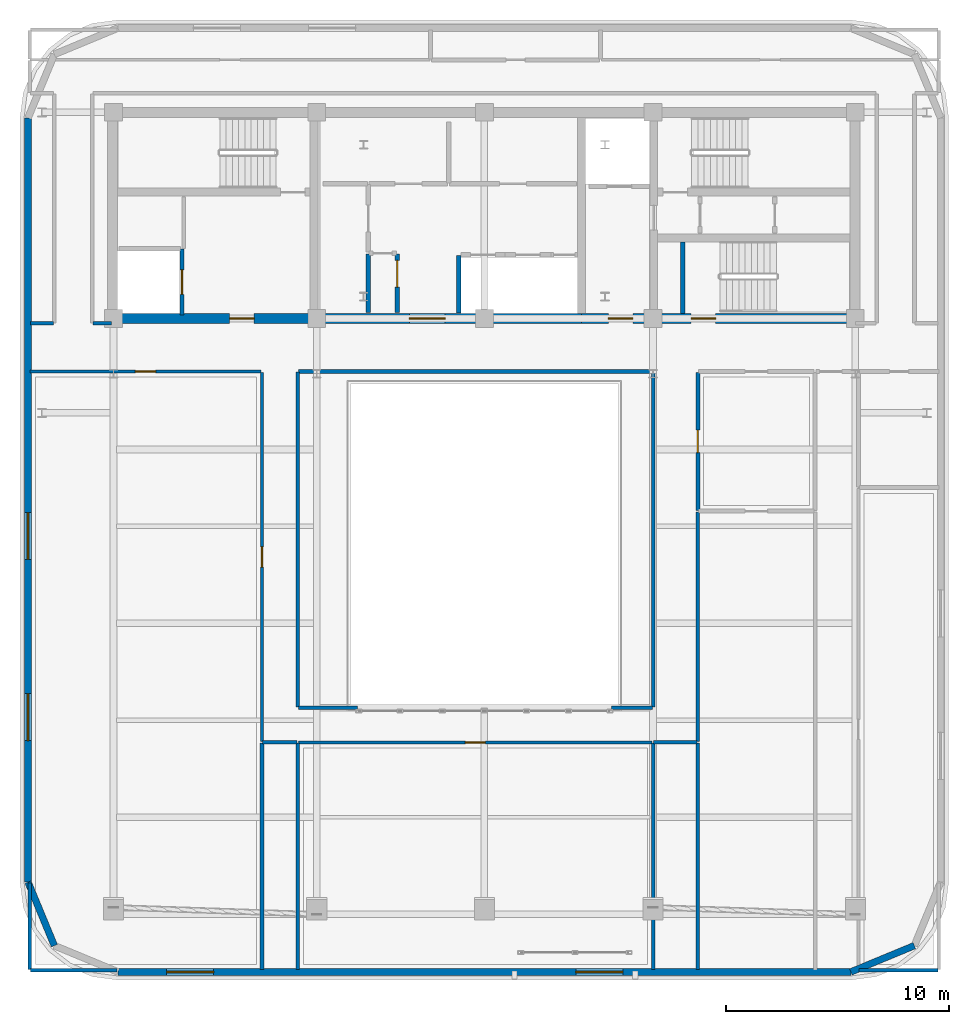
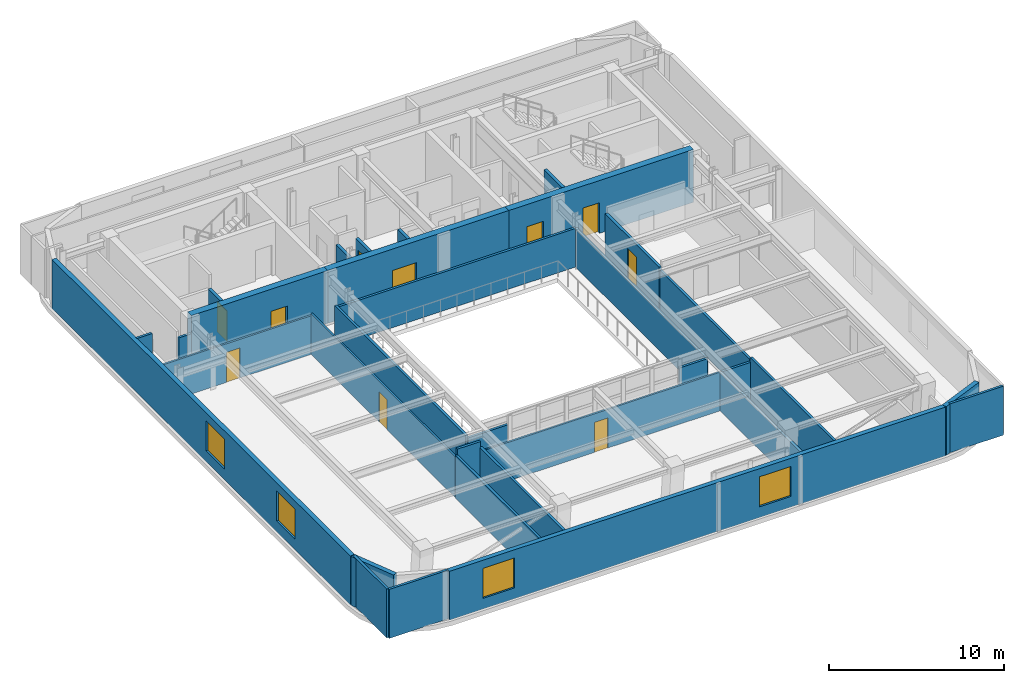
# One storey, part 6 of 12: 33 walls, 10 doors, 4 windows, 14 openings.
"""IFC4 building model written with IfcOpenShell, lengths in metres."""

from ifc_helpers import new_model, si_unit, direction, frame, frame_2d, origin, place, context, subcontext, project, spatial, rectangle, extrude, material, layer, layer_set, type_object, element, fill, save


model = new_model("IFC4")

# Units and contexts
model_context = context("Model", 3, precision=1e-05, world=origin(), true_north=direction((0.0, 1.0)))
body_context = subcontext(model_context, "Body", "Model", "MODEL_VIEW")
ifc_project = project(units=[si_unit("LENGTHUNIT", "METRE"), si_unit("AREAUNIT", "SQUARE_METRE"), si_unit("VOLUMEUNIT", "CUBIC_METRE"), si_unit("PLANEANGLEUNIT", "RADIAN"), si_unit("MASSUNIT", "GRAM", prefix="KILO")], contexts=[model_context])

# Site, building, storey
site_placement = place(None, origin())
site = spatial("IfcSite", under=ifc_project, at=site_placement, CompositionType="ELEMENT")
building_placement = place(site_placement, origin())
building = spatial("IfcBuilding", under=site, at=building_placement, Name="Zarnavel Station Tower", CompositionType="ELEMENT")
storey_placement = place(building_placement, frame((0.0, 0.0, 273.199951171875)))
storey = spatial("IfcBuildingStorey", under=building, at=storey_placement, Name="L74", CompositionType="ELEMENT", Elevation=273.199951171875)

# Wall, opening, door
ifc_material_1 = material(Name="Concrete C50/60", Category="concrete")
ifc_layer_1 = layer(ifc_material_1, 0.449951171875)
ifc_layer_set_1 = layer_set([ifc_layer_1], Name="CW_450")
wall_type_1 = type_object("IfcWallType", Name="CW_450", PredefinedType="SHEAR", material=ifc_layer_set_1)
wall_1_placement = place(storey_placement, frame((21.179931640625, 27.820068359375, 0.0), z_axis=(0.0, 0.0, 1.0), x_axis=(-1.0, 0.0, 0.0)))
wall_1 = element("IfcWall", 1, at=wall_1_placement, inside=storey, type_object=wall_type_1, Name="L74 Rear Core Shear Wall S-W", PredefinedType="SHEAR", context=body_context, shape_type="SweptSolid", body=[
    extrude(rectangle(XDim=9.030029296875, YDim=0.449951171875, at=frame_2d((4.51513671875, 0.0))), origin(), (0.0, 0.0, 1.0), 3.699951171875),
])
opening_1_placement = place(wall_1_placement, frame((2.679931640625, 0.0, 0.0)))
opening_1 = element("IfcOpeningElement", 2, at=opening_1_placement, cuts=wall_1, Name="Opening FD01", PredefinedType="OPENING", context=body_context, shape_type="SweptSolid", body=[
    extrude(rectangle(XDim=1.10009765625, YDim=2.14990234375, at=frame_2d((0.550048828125, 1.074951171875))), frame((0.0, 0.23486328125, 0.0), z_axis=(0.0, -1.0, 0.0), x_axis=(1.0, 0.0, 0.0)), (0.0, 0.0, 1.0), 0.469970703125),
])
ifc_material_2 = material(Name="Painted Galvanised Steel and Hardwood Leaf", Category="steel")
door_type_1 = type_object("IfcDoorType", Name="ID_STAIR_1100", OperationType="NOTDEFINED", PredefinedType="DOOR", material=ifc_material_2)
door_1_placement = place(opening_1_placement, origin())
door_1 = element("IfcDoor", 3, at=door_1_placement, inside=storey, type_object=door_type_1, Name="L74 West Firefighting Lobby Door", OperationType="SINGLE_SWING_RIGHT", OverallHeight=2.14990234375, OverallWidth=1.10009765625, PredefinedType="DOOR", context=body_context, shape_type="SweptSolid", body=[
    extrude(rectangle(XDim=1.10009765625, YDim=2.14990234375, at=frame_2d((0.550048828125, 1.074951171875))), frame((0.0, 0.02490234375, 0.0), z_axis=(0.0, -1.0, 0.0), x_axis=(1.0, 0.0, 0.0)), (0.0, 0.0, 1.0), 0.050048828125),
])
fill(opening_1, door_1)

wall_2_placement = place(storey_placement, frame((33.14990234375, 27.820068359375, 0.0), z_axis=(0.0, 0.0, 1.0), x_axis=(-1.0, 0.0, 0.0)))
wall_2 = element("IfcWall", 4, at=wall_2_placement, inside=storey, type_object=wall_type_1, Name="L74 Rear Core Shear Wall S-M", PredefinedType="SHEAR", context=body_context, shape_type="SweptSolid", body=[
    extrude(rectangle(XDim=11.969970703125, YDim=0.449951171875, at=frame_2d((5.98486328125, 0.0))), origin(), (0.0, 0.0, 1.0), 3.699951171875),
])
opening_2_placement = place(wall_2_placement, frame((6.10009765625, 0.0, 0.0)))
opening_2 = element("IfcOpeningElement", 5, at=opening_2_placement, cuts=wall_2, Name="Opening ID03", PredefinedType="OPENING", context=body_context, shape_type="SweptSolid", body=[
    extrude(rectangle(XDim=1.60009765625, YDim=2.199951171875, at=frame_2d((0.800048828125, 1.10009765625))), frame((0.0, 0.23486328125, 0.0), z_axis=(0.0, -1.0, 0.0), x_axis=(1.0, 0.0, 0.0)), (0.0, 0.0, 1.0), 0.469970703125),
])
ifc_material_3 = material(Name="Painted Galvanised Steel and Hardwood Leaf", Category="steel")
door_type_2 = type_object("IfcDoorType", Name="ID_PUBLIC_1600", OperationType="DOUBLE_DOOR_SINGLE_SWING", PredefinedType="DOOR", material=ifc_material_3)
door_2_placement = place(opening_2_placement, origin())
door_2 = element("IfcDoor", 6, at=door_2_placement, inside=storey, type_object=door_type_2, Name="L74 Passenger Lift Lobby Double Door", OperationType="SINGLE_SWING_LEFT", OverallHeight=2.199951171875, OverallWidth=1.60009765625, PredefinedType="DOOR", context=body_context, shape_type="SweptSolid", body=[
    extrude(rectangle(XDim=1.60009765625, YDim=2.199951171875, at=frame_2d((0.800048828125, 1.10009765625))), frame((0.0, 0.02490234375, 0.0), z_axis=(0.0, -1.0, 0.0), x_axis=(1.0, 0.0, 0.0)), (0.0, 0.0, 1.0), 0.050048828125),
])
fill(opening_2, door_2)

# Wall, openings, doors
wall_3_placement = place(storey_placement, frame((45.3798828125, 27.820068359375, 0.0), z_axis=(0.0, 0.0, 1.0), x_axis=(-1.0, 0.0, 0.0)))
wall_3 = element("IfcWall", 7, at=wall_3_placement, inside=storey, type_object=wall_type_1, Name="L74 Rear Core Shear Wall S-E", PredefinedType="SHEAR", context=body_context, shape_type="SweptSolid", body=[
    extrude(rectangle(XDim=12.22998046875, YDim=0.449951171875, at=frame_2d((6.114990234375, 0.0))), origin(), (0.0, 0.0, 1.0), 3.699951171875),
])
opening_3_placement = place(wall_3_placement, frame((9.929931640625, 0.0, 0.0)))
opening_3 = element("IfcOpeningElement", 8, at=opening_3_placement, cuts=wall_3, Name="Opening FD01", PredefinedType="OPENING", context=body_context, shape_type="SweptSolid", body=[
    extrude(rectangle(XDim=1.10009765625, YDim=2.14990234375, at=frame_2d((0.550048828125, 1.074951171875))), frame((0.0, 0.23486328125, 0.0), z_axis=(0.0, -1.0, 0.0), x_axis=(1.0, 0.0, 0.0)), (0.0, 0.0, 1.0), 0.469970703125),
])
opening_4_placement = place(wall_3_placement, frame((6.22998046875, 0.0, 0.0)))
opening_4 = element("IfcOpeningElement", 9, at=opening_4_placement, cuts=wall_3, Name="Opening FD01", PredefinedType="OPENING", context=body_context, shape_type="SweptSolid", body=[
    extrude(rectangle(XDim=1.10009765625, YDim=2.14990234375, at=frame_2d((0.550048828125, 1.074951171875))), frame((0.0, 0.23486328125, 0.0), z_axis=(0.0, -1.0, 0.0), x_axis=(1.0, 0.0, 0.0)), (0.0, 0.0, 1.0), 0.469970703125),
])
door_3_placement = place(opening_3_placement, origin())
door_3 = element("IfcDoor", 10, at=door_3_placement, inside=storey, type_object=door_type_1, Name="L74 East Firefighting Lobby Door", OperationType="SINGLE_SWING_LEFT", OverallHeight=2.14990234375, OverallWidth=1.10009765625, PredefinedType="DOOR", context=body_context, shape_type="SweptSolid", body=[
    extrude(rectangle(XDim=1.10009765625, YDim=2.14990234375, at=frame_2d((0.550048828125, 1.074951171875))), frame((0.0, 0.02490234375, 0.0), z_axis=(0.0, -1.0, 0.0), x_axis=(1.0, 0.0, 0.0)), (0.0, 0.0, 1.0), 0.050048828125),
])
fill(opening_3, door_3)
door_4_placement = place(opening_4_placement, origin())
door_4 = element("IfcDoor", 11, at=door_4_placement, inside=storey, type_object=door_type_1, Name="L74 Stair ST3 Corridor Fire Door", OperationType="SINGLE_SWING_RIGHT", OverallHeight=2.14990234375, OverallWidth=1.10009765625, PredefinedType="DOOR", context=body_context, shape_type="SweptSolid", body=[
    extrude(rectangle(XDim=1.10009765625, YDim=2.14990234375, at=frame_2d((0.550048828125, 1.074951171875))), frame((0.0, 0.02490234375, 0.0), z_axis=(0.0, -1.0, 0.0), x_axis=(1.0, 0.0, 0.0)), (0.0, 0.0, 1.0), 0.050048828125),
])
fill(opening_4, door_4)

# Wall
ifc_material_4 = material(Name="Precast concrete C45/55 (Dark Basalt Finish)", Category="masonry")
ifc_layer_2 = layer(ifc_material_4, 0.300048828125)
ifc_layer_set_2 = layer_set([ifc_layer_2], Name="EW_BASALT_300")
wall_type_2 = type_object("IfcWallType", Name="EW_BASALT_300", PredefinedType="SOLIDWALL", material=ifc_layer_set_2)
wall_4_placement = place(storey_placement, frame((48.04248046875, -0.24267578125, 0.0), z_axis=(0.0, 0.0, 1.0), x_axis=(-0.92389884758, -0.382636798336, 0.0)))
element("IfcWall", 12, at=wall_4_placement, inside=storey, type_object=wall_type_2, Name="L74 Exterior Basalt Masonry Frame Wall 01", PredefinedType="SOLIDWALL", context=body_context, shape_type="SweptSolid", body=[
    extrude(rectangle(XDim=3.07666015625, YDim=0.300048828125, at=frame_2d((1.538330078125, 0.0))), origin(), (0.0, 0.0, 1.0), 3.420166015625),
])

# Wall, openings, windows
wall_5_placement = place(storey_placement, frame((8.3798828125, 2.60009765625, 0.0), z_axis=(0.0, 0.0, 1.0), x_axis=(0.0, 1.0, 0.0)))
wall_5 = element("IfcWall", 13, at=wall_5_placement, inside=storey, type_object=wall_type_2, Name="L74 Exterior Basalt Masonry Frame Wall 09", PredefinedType="SOLIDWALL", context=body_context, shape_type="SweptSolid", body=[
    extrude(rectangle(XDim=34.199951171875, YDim=0.300048828125, at=frame_2d((17.10009765625, 0.0))), origin(), (0.0, 0.0, 1.0), 3.420166015625),
])
opening_5_placement = place(wall_5_placement, frame((6.330078125, 0.0, 0.75)))
opening_5 = element("IfcOpeningElement", 14, at=opening_5_placement, cuts=wall_5, Name="Opening WN05", PredefinedType="OPENING", context=body_context, shape_type="SweptSolid", body=[
    extrude(rectangle(XDim=2.10009765625, YDim=2.10009765625, at=frame_2d((1.050048828125, 1.050048828125))), frame((0.0, 0.159912109375, 0.0), z_axis=(0.0, -1.0, 0.0), x_axis=(1.0, 0.0, 0.0)), (0.0, 0.0, 1.0), 0.320068359375),
])
opening_6_placement = place(wall_5_placement, frame((14.43994140625, 0.0, 0.75)))
opening_6 = element("IfcOpeningElement", 15, at=opening_6_placement, cuts=wall_5, Name="Opening WN05", PredefinedType="OPENING", context=body_context, shape_type="SweptSolid", body=[
    extrude(rectangle(XDim=2.10009765625, YDim=2.10009765625, at=frame_2d((1.050048828125, 1.050048828125))), frame((0.0, 0.159912109375, 0.0), z_axis=(0.0, -1.0, 0.0), x_axis=(1.0, 0.0, 0.0)), (0.0, 0.0, 1.0), 0.320068359375),
])
ifc_material_5 = material(Name="Thermally Broken Black Aluminium and Low-E Dark Glass", Category="aluminium")
window_type = type_object("IfcWindowType", Name="WN_2100x2100", PartitioningType="TRIPLE_PANEL_VERTICAL", PredefinedType="WINDOW", material=ifc_material_5)
window_1_placement = place(opening_5_placement, origin())
window_1 = element("IfcWindow", 16, at=window_1_placement, inside=storey, type_object=window_type, Name="L74 Recessed Facade Window 01", OverallHeight=2.10009765625, OverallWidth=2.10009765625, PartitioningType="SINGLE_PANEL", PredefinedType="WINDOW", context=body_context, shape_type="SweptSolid", body=[
    extrude(rectangle(XDim=2.10009765625, YDim=2.10009765625, at=frame_2d((1.050048828125, 1.050048828125))), frame((0.0, 0.030029296875, 0.0), z_axis=(0.0, -1.0, 0.0), x_axis=(1.0, 0.0, 0.0)), (0.0, 0.0, 1.0), 0.06005859375),
])
fill(opening_5, window_1)
window_2_placement = place(opening_6_placement, origin())
window_2 = element("IfcWindow", 17, at=window_2_placement, inside=storey, type_object=window_type, Name="L74 Recessed Facade Window 02", OverallHeight=2.10009765625, OverallWidth=2.10009765625, PartitioningType="SINGLE_PANEL", PredefinedType="WINDOW", context=body_context, shape_type="SweptSolid", body=[
    extrude(rectangle(XDim=2.10009765625, YDim=2.10009765625, at=frame_2d((1.050048828125, 1.050048828125))), frame((0.0, 0.030029296875, 0.0), z_axis=(0.0, -1.0, 0.0), x_axis=(1.0, 0.0, 0.0)), (0.0, 0.0, 1.0), 0.06005859375),
])
fill(opening_6, window_2)

# Wall
wall_6_placement = place(storey_placement, frame((9.557373046875, -0.24267578125, 0.0), z_axis=(0.0, 0.0, 1.0), x_axis=(-0.382676475685, 0.923882414032, 0.0)))
element("IfcWall", 18, at=wall_6_placement, inside=storey, type_object=wall_type_2, Name="L74 Exterior Basalt Masonry Frame Wall 10", PredefinedType="SOLIDWALL", context=body_context, shape_type="SweptSolid", body=[
    extrude(rectangle(XDim=3.076904296875, YDim=0.300048828125, at=frame_2d((1.53857421875, 0.0))), origin(), (0.0, 0.0, 1.0), 3.420166015625),
])

# Wall, openings, windows
wall_7_placement = place(storey_placement, frame((45.199951171875, -1.419921875, 0.0), z_axis=(0.0, 0.0, 1.0), x_axis=(-1.0, 0.0, 0.0)))
wall_7 = element("IfcWall", 19, at=wall_7_placement, inside=storey, type_object=wall_type_2, Name="L74 Exterior Basalt Masonry Frame Wall 12", PredefinedType="SOLIDWALL", context=body_context, shape_type="SweptSolid", body=[
    extrude(rectangle(XDim=32.800048828125, YDim=0.300048828125, at=frame_2d((16.39990234375, 0.0))), origin(), (0.0, 0.0, 1.0), 3.420166015625),
])
opening_7_placement = place(wall_7_placement, frame((28.514892578125, 0.0, 0.75)))
opening_7 = element("IfcOpeningElement", 20, at=opening_7_placement, cuts=wall_7, Name="Opening WN05", PredefinedType="OPENING", context=body_context, shape_type="SweptSolid", body=[
    extrude(rectangle(XDim=2.10009765625, YDim=2.10009765625, at=frame_2d((1.050048828125, 1.050048828125))), frame((0.0, 0.159912109375, 0.0), z_axis=(0.0, -1.0, 0.0), x_axis=(1.0, 0.0, 0.0)), (0.0, 0.0, 1.0), 0.320068359375),
])
opening_8_placement = place(wall_7_placement, frame((10.2060546875, 0.0, 0.75)))
opening_8 = element("IfcOpeningElement", 21, at=opening_8_placement, cuts=wall_7, Name="Opening WN05", PredefinedType="OPENING", context=body_context, shape_type="SweptSolid", body=[
    extrude(rectangle(XDim=2.10009765625, YDim=2.10009765625, at=frame_2d((1.050048828125, 1.050048828125))), frame((0.0, 0.159912109375, 0.0), z_axis=(0.0, -1.0, 0.0), x_axis=(1.0, 0.0, 0.0)), (0.0, 0.0, 1.0), 0.320068359375),
])
window_3_placement = place(opening_7_placement, origin())
window_3 = element("IfcWindow", 22, at=window_3_placement, inside=storey, type_object=window_type, Name="L74 Recessed Facade Window 01", OverallHeight=2.10009765625, OverallWidth=2.10009765625, PartitioningType="SINGLE_PANEL", PredefinedType="WINDOW", context=body_context, shape_type="SweptSolid", body=[
    extrude(rectangle(XDim=2.10009765625, YDim=2.10009765625, at=frame_2d((1.050048828125, 1.050048828125))), frame((0.0, 0.030029296875, 0.0), z_axis=(0.0, -1.0, 0.0), x_axis=(1.0, 0.0, 0.0)), (0.0, 0.0, 1.0), 0.06005859375),
])
fill(opening_7, window_3)
window_4_placement = place(opening_8_placement, origin())
window_4 = element("IfcWindow", 23, at=window_4_placement, inside=storey, type_object=window_type, Name="L74 Recessed Facade Window 02", OverallHeight=2.10009765625, OverallWidth=2.10009765625, PartitioningType="SINGLE_PANEL", PredefinedType="WINDOW", context=body_context, shape_type="SweptSolid", body=[
    extrude(rectangle(XDim=2.10009765625, YDim=2.10009765625, at=frame_2d((1.050048828125, 1.050048828125))), frame((0.0, 0.030029296875, 0.0), z_axis=(0.0, -1.0, 0.0), x_axis=(1.0, 0.0, 0.0)), (0.0, 0.0, 1.0), 0.06005859375),
])
fill(opening_8, window_4)

# Walls
ifc_material_6 = material(Name="Gypsum Twin-Stud Acoustic Fire Partition", Category="concrete")
ifc_layer_3 = layer(ifc_material_6, 0.159912109375)
ifc_layer_set_3 = layer_set([ifc_layer_3], Name="PT_DEMISE_160")
wall_type_3 = type_object("IfcWallType", Name="PT_DEMISE_160", PredefinedType="PARTITIONING", material=ifc_layer_set_3)
wall_8_placement = place(storey_placement, frame((38.35009765625, 8.889892578125, 0.0), z_axis=(0.0, 0.0, 1.0), x_axis=(0.0, 1.0, 0.0)))
element("IfcWall", 24, at=wall_8_placement, inside=storey, type_object=wall_type_3, Name="L74 Partition COR-AE-SSTR", PredefinedType="PARTITIONING", context=body_context, shape_type="SweptSolid", body=[
    extrude(rectangle(XDim=10.27001953125, YDim=0.159912109375, at=frame_2d((5.135009765625, 0.0))), origin(), (0.0, 0.0, 1.0), 2.85009765625),
])
wall_9_placement = place(storey_placement, frame((20.47998046875, 25.449951171875, 0.0), z_axis=(0.0, 0.0, 1.0), x_axis=(1.0, 0.0, 0.0)))
element("IfcWall", 25, at=wall_9_placement, inside=storey, type_object=wall_type_3, Name="L74 Enclosure Wall COR-S", PredefinedType="PARTITIONING", context=body_context, shape_type="SweptSolid", body=[
    extrude(rectangle(XDim=15.840087890625, YDim=0.159912109375, at=frame_2d((7.919921875, 0.0))), origin(), (0.0, 0.0, 1.0), 2.699951171875),
])
wall_10_placement = place(storey_placement, frame((8.489990234375, 27.60009765625, 0.0), z_axis=(0.0, 0.0, 1.0), x_axis=(1.0, 0.0, 0.0)))
element("IfcWall", 26, at=wall_10_placement, inside=storey, type_object=wall_type_3, Name="L74 Enclosure Wall COR-S", PredefinedType="PARTITIONING", context=body_context, shape_type="SweptSolid", body=[
    extrude(rectangle(XDim=1.030029296875, YDim=0.159912109375, at=frame_2d((0.51513671875, 0.0))), origin(), (0.0, 0.0, 1.0), 3.420166015625),
])
wall_11_placement = place(storey_placement, frame((11.280029296875, 27.60009765625, 0.0), z_axis=(0.0, 0.0, 1.0), x_axis=(1.0, 0.0, 0.0)))
element("IfcWall", 27, at=wall_11_placement, inside=storey, type_object=wall_type_3, Name="L74 Enclosure Wall COR-S", PredefinedType="PARTITIONING", context=body_context, shape_type="SweptSolid", body=[
    extrude(rectangle(XDim=0.840087890625, YDim=0.159912109375, at=frame_2d((0.419921875, 0.0))), origin(), (0.0, 0.0, 1.0), 2.489990234375),
])
wall_12_placement = place(storey_placement, frame((18.8798828125, 8.85009765625, 0.0), z_axis=(0.0, 0.0, 1.0), x_axis=(1.0, 0.0, 0.0)))
element("IfcWall", 28, at=wall_12_placement, inside=storey, type_object=wall_type_3, Name="L74 Enclosure Wall COR-AW", PredefinedType="PARTITIONING", context=body_context, shape_type="SweptSolid", body=[
    extrude(rectangle(XDim=1.5400390625, YDim=0.159912109375, at=frame_2d((0.77001953125, 0.0))), origin(), (0.0, 0.0, 1.0), 3.420166015625),
])
wall_13_placement = place(storey_placement, frame((20.449951171875, 10.429931640625, 0.0), z_axis=(0.0, 0.0, 1.0), x_axis=(0.0, 1.0, 0.0)))
element("IfcWall", 29, at=wall_13_placement, inside=storey, type_object=wall_type_3, Name="L74 Enclosure Wall COR-AW", PredefinedType="PARTITIONING", context=body_context, shape_type="SweptSolid", body=[
    extrude(rectangle(XDim=14.989990234375, YDim=0.159912109375, at=frame_2d((7.4951171875, 0.0))), origin(), (0.0, 0.0, 1.0), 2.85009765625),
])
wall_14_placement = place(storey_placement, frame((36.3798828125, 8.85009765625, 0.0), z_axis=(0.0, 0.0, 1.0), x_axis=(1.0, 0.0, 0.0)))
element("IfcWall", 30, at=wall_14_placement, inside=storey, type_object=wall_type_3, Name="L74 Enclosure Wall COR-AE", PredefinedType="PARTITIONING", context=body_context, shape_type="SweptSolid", body=[
    extrude(rectangle(XDim=1.940185546875, YDim=0.159912109375, at=frame_2d((0.97021484375, 0.0))), origin(), (0.0, 0.0, 1.0), 2.699951171875),
])
wall_15_placement = place(storey_placement, frame((36.35009765625, 10.429931640625, 0.0), z_axis=(0.0, 0.0, 1.0), x_axis=(0.0, 1.0, 0.0)))
element("IfcWall", 31, at=wall_15_placement, inside=storey, type_object=wall_type_3, Name="L74 Enclosure Wall COR-AE", PredefinedType="PARTITIONING", context=body_context, shape_type="SweptSolid", body=[
    extrude(rectangle(XDim=14.989990234375, YDim=0.159912109375, at=frame_2d((7.4951171875, 0.0))), origin(), (0.0, 0.0, 1.0), 2.699951171875),
])
wall_16_placement = place(storey_placement, frame((20.47998046875, 10.39990234375, 0.0), z_axis=(0.0, 0.0, 1.0), x_axis=(1.0, 0.0, 0.0)))
element("IfcWall", 32, at=wall_16_placement, inside=storey, type_object=wall_type_3, Name="L74 Enclosure Wall COR-AS", PredefinedType="PARTITIONING", context=body_context, shape_type="SweptSolid", body=[
    extrude(rectangle(XDim=2.64013671875, YDim=0.159912109375, at=frame_2d((1.320068359375, 0.0))), origin(), (0.0, 0.0, 1.0), 2.699951171875),
])
wall_17_placement = place(storey_placement, frame((34.47998046875, 10.39990234375, 0.0), z_axis=(0.0, 0.0, 1.0), x_axis=(1.0, 0.0, 0.0)))
element("IfcWall", 33, at=wall_17_placement, inside=storey, type_object=wall_type_3, Name="L74 Enclosure Wall COR-AS", PredefinedType="PARTITIONING", context=body_context, shape_type="SweptSolid", body=[
    extrude(rectangle(XDim=1.840087890625, YDim=0.159912109375, at=frame_2d((0.919921875, 0.0))), origin(), (0.0, 0.0, 1.0), 2.699951171875),
])
for number, where, z_axis, x_axis, name in (
    (34, (8.489990234375, -1.340087890625, 0.0), (0.0, 0.0, 1.0), (1.0, 0.0, 0.0), "L74 Enclosure Wall SREST"),
    (35, (8.4599609375, -1.31005859375, 0.0), (0.0, 0.0, 1.0), (0.0, 1.0, 0.0), "L74 Enclosure Wall SREST"),
):
    element("IfcWall", number, at=place(storey_placement, frame(where, z_axis=z_axis, x_axis=x_axis)), inside=storey, type_object=wall_type_3, Name=name, PredefinedType="PARTITIONING", context=body_context, shape_type="SweptSolid", body=[
        extrude(rectangle(XDim=3.880126953125, YDim=0.159912109375, at=frame_2d((1.93994140625, 0.0))), origin(), (0.0, 0.0, 1.0), 3.420166015625),
    ])
for number, where, z_axis, x_axis, name in (
    (36, (18.85009765625, -1.31005859375, 0.0), (0.0, 0.0, 1.0), (0.0, 1.0, 0.0), "L74 Enclosure Wall SREST"),
    (37, (20.449951171875, -1.31005859375, 0.0), (0.0, 0.0, 1.0), (0.0, 1.0, 0.0), "L74 Enclosure Wall SBAR"),
):
    element("IfcWall", number, at=place(storey_placement, frame(where, z_axis=z_axis, x_axis=x_axis)), inside=storey, type_object=wall_type_3, Name=name, PredefinedType="PARTITIONING", context=body_context, shape_type="SweptSolid", body=[
        extrude(rectangle(XDim=10.130126953125, YDim=0.159912109375, at=frame_2d((5.06494140625, 0.0))), origin(), (0.0, 0.0, 1.0), 3.010009765625),
    ])
wall_18_placement = place(storey_placement, frame((36.35009765625, -1.31005859375, 0.0), z_axis=(0.0, 0.0, 1.0), x_axis=(0.0, 1.0, 0.0)))
element("IfcWall", 38, at=wall_18_placement, inside=storey, type_object=wall_type_3, Name="L74 Enclosure Wall SBAR", PredefinedType="PARTITIONING", context=body_context, shape_type="SweptSolid", body=[
    extrude(rectangle(XDim=10.130126953125, YDim=0.159912109375, at=frame_2d((5.06494140625, 0.0))), origin(), (0.0, 0.0, 1.0), 2.699951171875),
])
wall_19_placement = place(storey_placement, frame((38.35009765625, -1.31005859375, 0.0), z_axis=(0.0, 0.0, 1.0), x_axis=(0.0, 1.0, 0.0)))
element("IfcWall", 39, at=wall_19_placement, inside=storey, type_object=wall_type_3, Name="L74 Enclosure Wall SSTR", PredefinedType="PARTITIONING", context=body_context, shape_type="SweptSolid", body=[
    extrude(rectangle(XDim=10.130126953125, YDim=0.159912109375, at=frame_2d((5.06494140625, 0.0))), origin(), (0.0, 0.0, 1.0), 3.010009765625),
])
wall_20_placement = place(storey_placement, frame((45.570068359375, -1.340087890625, 0.0), z_axis=(0.0, 0.0, 1.0), x_axis=(1.0, 0.0, 0.0)))
element("IfcWall", 40, at=wall_20_placement, inside=storey, type_object=wall_type_3, Name="L74 Enclosure Wall SLGN", PredefinedType="PARTITIONING", context=body_context, shape_type="SweptSolid", body=[
    extrude(rectangle(XDim=3.5400390625, YDim=0.159912109375, at=frame_2d((1.77001953125, 0.0))), origin(), (0.0, 0.0, 1.0), 3.420166015625),
])

# Wall, opening, door
ifc_material_7 = material(Name="Gypsum Metal-Stud Interior Partition", Category="concrete")
ifc_layer_4 = layer(ifc_material_7, 0.1201171875)
ifc_layer_set_4 = layer_set([ifc_layer_4], Name="PT_ROOM_120")
wall_type_4 = type_object("IfcWallType", Name="PT_ROOM_120", PredefinedType="PARTITIONING", material=ifc_layer_set_4)
wall_21_placement = place(storey_placement, frame((8.4599609375, 25.449951171875, 0.0), z_axis=(0.0, 0.0, 1.0), x_axis=(1.0, 0.0, 0.0)))
wall_21 = element("IfcWall", 41, at=wall_21_placement, inside=storey, type_object=wall_type_4, Name="L74 Partition COR-S-SREST", PredefinedType="PARTITIONING", context=body_context, shape_type="SweptSolid", body=[
    extrude(rectangle(XDim=10.35009765625, YDim=0.1201171875, at=frame_2d((5.175048828125, 0.0))), origin(), (0.0, 0.0, 1.0), 2.699951171875),
])
opening_9_placement = place(wall_21_placement, frame((4.72509765625, 0.0, 0.0)))
opening_9 = element("IfcOpeningElement", 42, at=opening_9_placement, cuts=wall_21, Name="Opening ID01", PredefinedType="OPENING", context=body_context, shape_type="SweptSolid", body=[
    extrude(rectangle(XDim=0.89990234375, YDim=2.10009765625, at=frame_2d((0.449951171875, 1.050048828125))), frame((0.0, 0.070068359375, 0.0), z_axis=(0.0, -1.0, 0.0), x_axis=(1.0, 0.0, 0.0)), (0.0, 0.0, 1.0), 0.14013671875),
])
ifc_material_8 = material(Name="Painted Galvanised Steel and Hardwood Leaf", Category="steel")
door_type_3 = type_object("IfcDoorType", Name="ID_ROOM_900", OperationType="NOTDEFINED", PredefinedType="DOOR", material=ifc_material_8)
door_5_placement = place(opening_9_placement, origin())
door_5 = element("IfcDoor", 43, at=door_5_placement, inside=storey, type_object=door_type_3, Name="L74 Door COR-S-SREST", OperationType="SINGLE_SWING_RIGHT", OverallHeight=2.10009765625, OverallWidth=0.89990234375, PredefinedType="DOOR", context=body_context, shape_type="SweptSolid", body=[
    extrude(rectangle(XDim=0.89990234375, YDim=2.10009765625, at=frame_2d((0.449951171875, 1.050048828125))), frame((0.0, 0.02490234375, 0.0), z_axis=(0.0, -1.0, 0.0), x_axis=(1.0, 0.0, 0.0)), (0.0, 0.0, 1.0), 0.050048828125),
])
fill(opening_9, door_5)

wall_22_placement = place(storey_placement, frame((18.85009765625, 8.889892578125, 0.0), z_axis=(0.0, 0.0, 1.0), x_axis=(0.0, 1.0, 0.0)))
wall_22 = element("IfcWall", 44, at=wall_22_placement, inside=storey, type_object=wall_type_4, Name="L74 Partition COR-AW-SREST", PredefinedType="PARTITIONING", context=body_context, shape_type="SweptSolid", body=[
    extrude(rectangle(XDim=16.52001953125, YDim=0.1201171875, at=frame_2d((8.260009765625, 0.0))), origin(), (0.0, 0.0, 1.0), 2.85009765625),
])
opening_10_placement = place(wall_22_placement, frame((7.81005859375, 0.0, 0.0)))
opening_10 = element("IfcOpeningElement", 45, at=opening_10_placement, cuts=wall_22, Name="Opening ID01", PredefinedType="OPENING", context=body_context, shape_type="SweptSolid", body=[
    extrude(rectangle(XDim=0.89990234375, YDim=2.10009765625, at=frame_2d((0.449951171875, 1.050048828125))), frame((0.0, 0.070068359375, 0.0), z_axis=(0.0, -1.0, 0.0), x_axis=(1.0, 0.0, 0.0)), (0.0, 0.0, 1.0), 0.14013671875),
])
door_6_placement = place(opening_10_placement, origin())
door_6 = element("IfcDoor", 46, at=door_6_placement, inside=storey, type_object=door_type_3, Name="L74 Door COR-AW-SREST", OperationType="SINGLE_SWING_RIGHT", OverallHeight=2.10009765625, OverallWidth=0.89990234375, PredefinedType="DOOR", context=body_context, shape_type="SweptSolid", body=[
    extrude(rectangle(XDim=0.89990234375, YDim=2.10009765625, at=frame_2d((0.449951171875, 1.050048828125))), frame((0.0, 0.02490234375, 0.0), z_axis=(0.0, -1.0, 0.0), x_axis=(1.0, 0.0, 0.0)), (0.0, 0.0, 1.0), 0.050048828125),
])
fill(opening_10, door_6)

wall_23_placement = place(storey_placement, frame((20.489990234375, 8.85009765625, 0.0), z_axis=(0.0, 0.0, 1.0), x_axis=(1.0, 0.0, 0.0)))
wall_23 = element("IfcWall", 47, at=wall_23_placement, inside=storey, type_object=wall_type_4, Name="L74 Partition COR-AS-SBAR", PredefinedType="PARTITIONING", context=body_context, shape_type="SweptSolid", body=[
    extrude(rectangle(XDim=15.820068359375, YDim=0.1201171875, at=frame_2d((7.91015625, 0.0))), origin(), (0.0, 0.0, 1.0), 2.699951171875),
])
opening_11_placement = place(wall_23_placement, frame((7.4599609375, 0.0, 0.0)))
opening_11 = element("IfcOpeningElement", 48, at=opening_11_placement, cuts=wall_23, Name="Opening ID01", PredefinedType="OPENING", context=body_context, shape_type="SweptSolid", body=[
    extrude(rectangle(XDim=0.89990234375, YDim=2.10009765625, at=frame_2d((0.449951171875, 1.050048828125))), frame((0.0, 0.070068359375, 0.0), z_axis=(0.0, -1.0, 0.0), x_axis=(1.0, 0.0, 0.0)), (0.0, 0.0, 1.0), 0.14013671875),
])
door_7_placement = place(opening_11_placement, origin())
door_7 = element("IfcDoor", 49, at=door_7_placement, inside=storey, type_object=door_type_3, Name="L74 Door COR-AS-SBAR", OperationType="SINGLE_SWING_RIGHT", OverallHeight=2.10009765625, OverallWidth=0.89990234375, PredefinedType="DOOR", context=body_context, shape_type="SweptSolid", body=[
    extrude(rectangle(XDim=0.89990234375, YDim=2.10009765625, at=frame_2d((0.449951171875, 1.050048828125))), frame((0.0, 0.02490234375, 0.0), z_axis=(0.0, -1.0, 0.0), x_axis=(1.0, 0.0, 0.0)), (0.0, 0.0, 1.0), 0.050048828125),
])
fill(opening_11, door_7)

ifc_material_9 = material(Name="Precast concrete C45/55 (Fire Shaft Blockwork)", Category="masonry")
ifc_layer_5 = layer(ifc_material_9, 0.199951171875)
ifc_layer_set_5 = layer_set([ifc_layer_5], Name="PT_SHAFT_200")
wall_type_5 = type_object("IfcWallType", Name="PT_SHAFT_200", PredefinedType="PARTITIONING", material=ifc_layer_set_5)
wall_24_placement = place(storey_placement, frame((15.27001953125, 27.969970703125, 0.0), z_axis=(0.0, 0.0, 1.0), x_axis=(0.0, 1.0, 0.0)))
wall_24 = element("IfcWall", 50, at=wall_24_placement, inside=storey, type_object=wall_type_5, Name="L74 Lift FFL-01 Shaft Front Wall", PredefinedType="PARTITIONING", context=body_context, shape_type="SweptSolid", body=[
    extrude(rectangle(XDim=2.9599609375, YDim=0.199951171875, at=frame_2d((1.47998046875, 0.0))), origin(), (0.0, 0.0, 1.0), 2.489990234375),
])
opening_12_placement = place(wall_24_placement, frame((0.929931640625, 0.0, 0.0)))
opening_12 = element("IfcOpeningElement", 51, at=opening_12_placement, cuts=wall_24, Name="Opening LD01", PredefinedType="OPENING", context=body_context, shape_type="SweptSolid", body=[
    extrude(rectangle(XDim=1.10009765625, YDim=2.14990234375, at=frame_2d((0.550048828125, 1.074951171875))), frame((0.0, 0.10986328125, 0.0), z_axis=(0.0, -1.0, 0.0), x_axis=(1.0, 0.0, 0.0)), (0.0, 0.0, 1.0), 0.219970703125),
])
ifc_material_10 = material(Name="Painted Galvanised Steel and Hardwood Leaf", Category="steel")
door_type_4 = type_object("IfcDoorType", Name="LD_FF_1100", OperationType="DOUBLE_DOOR_SLIDING", PredefinedType="DOOR", material=ifc_material_10)
door_8_placement = place(opening_12_placement, origin())
door_8 = element("IfcDoor", 52, at=door_8_placement, inside=storey, type_object=door_type_4, Name="L74 Lift FFL-01 Sliding Landing Door", OperationType="DOUBLE_DOOR_SLIDING", OverallHeight=2.14990234375, OverallWidth=1.10009765625, PredefinedType="DOOR", context=body_context, shape_type="SweptSolid", body=[
    extrude(rectangle(XDim=1.10009765625, YDim=2.14990234375, at=frame_2d((0.550048828125, 1.074951171875))), frame((0.0, 0.02490234375, 0.0), z_axis=(0.0, -1.0, 0.0), x_axis=(1.0, 0.0, 0.0)), (0.0, 0.0, 1.0), 0.050048828125),
])
fill(opening_12, door_8)

# Walls
wall_25_placement = place(storey_placement, frame((27.64990234375, 28.070068359375, 0.0), z_axis=(0.0, 0.0, 1.0), x_axis=(0.0, 1.0, 0.0)))
element("IfcWall", 53, at=wall_25_placement, inside=storey, type_object=wall_type_5, Name="L74 High-Rise Lift Bank West Shaft Wall", PredefinedType="PARTITIONING", context=body_context, shape_type="SweptSolid", body=[
    extrude(rectangle(XDim=2.579833984375, YDim=0.199951171875, at=frame_2d((1.2900390625, 0.0))), origin(), (0.0, 0.0, 1.0), 2.489990234375),
])
wall_26_placement = place(storey_placement, frame((37.679931640625, 28.044921875, 0.0), z_axis=(0.0, 0.0, 1.0), x_axis=(0.0, 1.0, 0.0)))
element("IfcWall", 54, at=wall_26_placement, inside=storey, type_object=wall_type_5, Name="L74 Stair ST3 West Shaft Wall", PredefinedType="PARTITIONING", context=body_context, shape_type="SweptSolid", body=[
    extrude(rectangle(XDim=3.205078125, YDim=0.199951171875, at=frame_2d((1.6025390625, 0.0))), origin(), (0.0, 0.0, 1.0), 2.800048828125),
])

# Wall, opening, door
wall_27_placement = place(storey_placement, frame((24.89990234375, 30.7099609375, 0.0), z_axis=(0.0, 0.0, 1.0), x_axis=(0.0, -1.0, 0.0)))
wall_27 = element("IfcWall", 55, at=wall_27_placement, inside=storey, type_object=wall_type_5, Name="L74 Partition LLOBS-CS2", PredefinedType="PARTITIONING", context=body_context, shape_type="SweptSolid", body=[
    extrude(rectangle(XDim=2.619873046875, YDim=0.199951171875, at=frame_2d((1.31005859375, 0.0))), origin(), (0.0, 0.0, 1.0), 2.800048828125),
])
opening_13_placement = place(wall_27_placement, frame((0.282470703125, 0.0, 0.0)))
opening_13 = element("IfcOpeningElement", 56, at=opening_13_placement, cuts=wall_27, Name="Opening FD03", PredefinedType="OPENING", context=body_context, shape_type="SweptSolid", body=[
    extrude(rectangle(XDim=1.199951171875, YDim=2.14990234375, at=frame_2d((0.60009765625, 1.074951171875))), frame((0.0, 0.10986328125, 0.0), z_axis=(0.0, -1.0, 0.0), x_axis=(1.0, 0.0, 0.0)), (0.0, 0.0, 1.0), 0.219970703125),
])
ifc_material_11 = material(Name="Painted Galvanised Steel and Hardwood Leaf", Category="steel")
door_type_5 = type_object("IfcDoorType", Name="ID_PLANT_1200", OperationType="NOTDEFINED", PredefinedType="DOOR", material=ifc_material_11)
door_9_placement = place(opening_13_placement, origin())
door_9 = element("IfcDoor", 57, at=door_9_placement, inside=storey, type_object=door_type_5, Name="L74 Door LLOBS-CS2", OperationType="SINGLE_SWING_LEFT", OverallHeight=2.14990234375, OverallWidth=1.199951171875, PredefinedType="DOOR", context=body_context, shape_type="SweptSolid", body=[
    extrude(rectangle(XDim=1.199951171875, YDim=2.14990234375, at=frame_2d((0.60009765625, 1.074951171875))), frame((0.0, 0.02490234375, 0.0), z_axis=(0.0, -1.0, 0.0), x_axis=(1.0, 0.0, 0.0)), (0.0, 0.0, 1.0), 0.050048828125),
])
fill(opening_13, door_9)

# Wall
wall_28_placement = place(storey_placement, frame((23.60009765625, 28.090087890625, 0.0), z_axis=(0.0, 0.0, 1.0), x_axis=(0.0, 1.0, 0.0)))
element("IfcWall", 58, at=wall_28_placement, inside=storey, type_object=wall_type_5, Name="L74 Partition CS1-CS2", PredefinedType="PARTITIONING", context=body_context, shape_type="SweptSolid", body=[
    extrude(rectangle(XDim=2.619873046875, YDim=0.199951171875, at=frame_2d((1.31005859375, 0.0))), origin(), (0.0, 0.0, 1.0), 2.800048828125),
])

# Wall, opening, door
ifc_material_12 = material(Name="Moisture-Resistant Plumbing Chase Wall", Category="concrete")
ifc_layer_6 = layer(ifc_material_12, 0.179931640625)
ifc_layer_set_6 = layer_set([ifc_layer_6], Name="PW_PLUMB_180")
wall_type_6 = type_object("IfcWallType", Name="PW_PLUMB_180", PredefinedType="PLUMBINGWALL", material=ifc_layer_set_6)
wall_29_placement = place(storey_placement, frame((38.35009765625, 19.239990234375, 0.0), z_axis=(0.0, 0.0, 1.0), x_axis=(0.0, 1.0, 0.0)))
wall_29 = element("IfcWall", 59, at=wall_29_placement, inside=storey, type_object=wall_type_6, Name="L74 Partition COR-AE-SKIT", PredefinedType="PLUMBINGWALL", context=body_context, shape_type="SweptSolid", body=[
    extrude(rectangle(XDim=6.169921875, YDim=0.179931640625, at=frame_2d((3.0849609375, 0.0))), origin(), (0.0, 0.0, 1.0), 3.010009765625),
])
opening_14_placement = place(wall_29_placement, frame((2.5849609375, 0.0, 0.0)))
opening_14 = element("IfcOpeningElement", 60, at=opening_14_placement, cuts=wall_29, Name="Opening FD02", PredefinedType="OPENING", context=body_context, shape_type="SweptSolid", body=[
    extrude(rectangle(XDim=1.0, YDim=2.14990234375, at=frame_2d((0.5, 1.074951171875))), frame((0.0, 0.099853515625, 0.0), z_axis=(0.0, -1.0, 0.0), x_axis=(1.0, 0.0, 0.0)), (0.0, 0.0, 1.0), 0.199951171875),
])
ifc_material_13 = material(Name="Painted Galvanised Steel and Hardwood Leaf", Category="steel")
door_type_6 = type_object("IfcDoorType", Name="ID_ENTRY_1000", OperationType="NOTDEFINED", PredefinedType="DOOR", material=ifc_material_13)
door_10_placement = place(opening_14_placement, origin())
door_10 = element("IfcDoor", 61, at=door_10_placement, inside=storey, type_object=door_type_6, Name="L74 Door COR-AE-SKIT", OperationType="SINGLE_SWING_LEFT", OverallHeight=2.14990234375, OverallWidth=1.0, PredefinedType="DOOR", context=body_context, shape_type="SweptSolid", body=[
    extrude(rectangle(XDim=1.0, YDim=2.14990234375, at=frame_2d((0.5, 1.074951171875))), frame((0.0, 0.02490234375, 0.0), z_axis=(0.0, -1.0, 0.0), x_axis=(1.0, 0.0, 0.0)), (0.0, 0.0, 1.0), 0.050048828125),
])
fill(opening_14, door_10)

save(model, "model.ifc")
